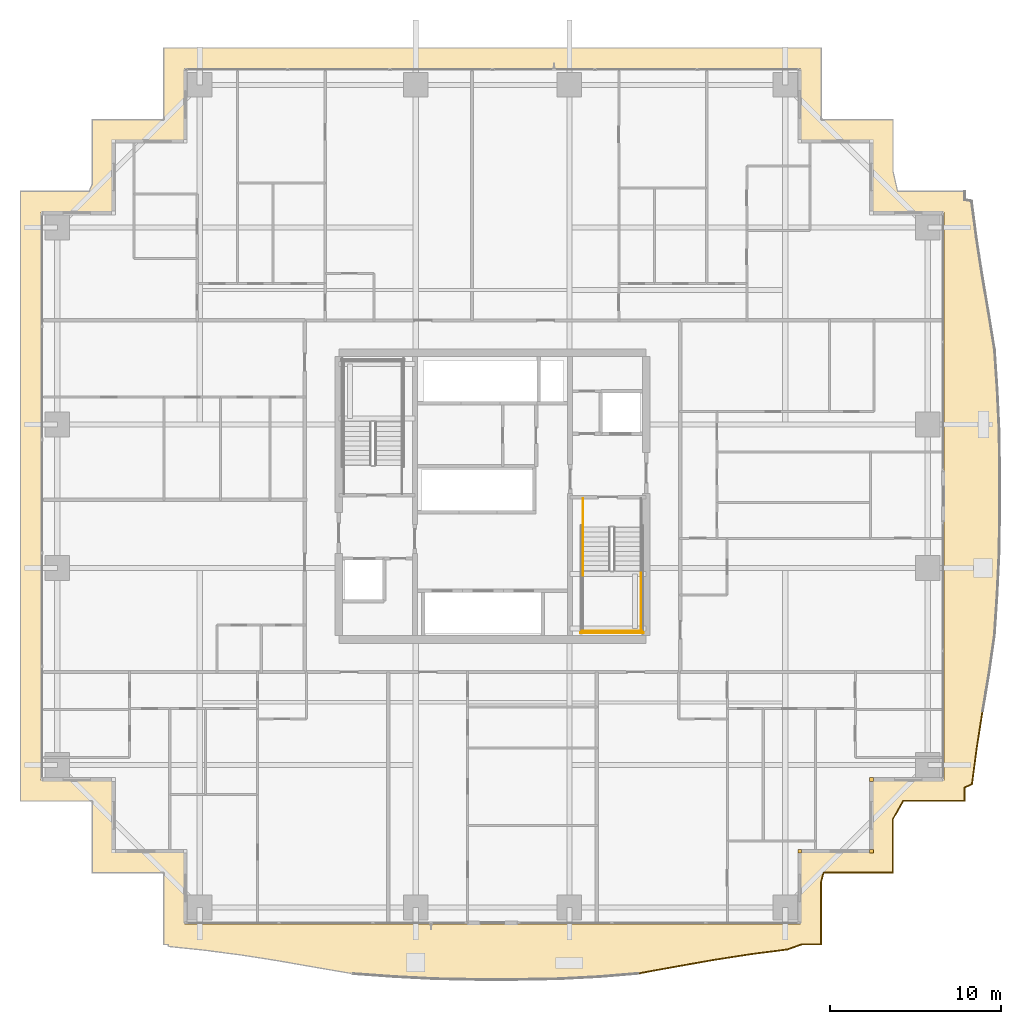
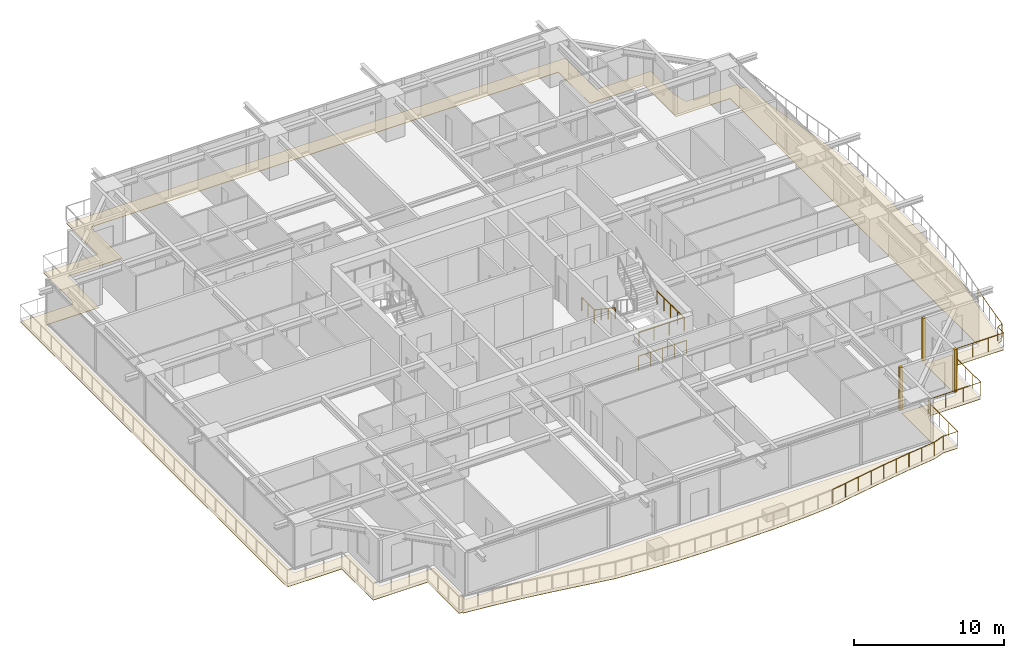
# One storey, part 36 of 39: 7 railings, 4 coverings.
"""IFC4 building model written with IfcOpenShell, lengths in metres."""

import ifcopenshell
import ifcopenshell.guid

model = None  # the IFC model being written
_history = None  # IfcOwnerHistory: only IFC2X3 demands one
_inside = {}  # id of a spatial element -> (the spatial element, [elements in it])
_under = {}  # id of a project, library or spatial element -> (it, [spatial elements below it])
_declared = {}  # id of a project -> (the project, [libraries it declares])
_typed = {}  # id of a type object -> (the type object, [elements of that type])
_made_of = {}  # id of a material, layer set ... -> (it, [elements and type objects made of it])


def new_model(schema):
    """Start an empty IFC model of exactly this schema.

    Asked for "IFC4X3", IfcOpenShell would pick the latest addendum, in which some entities
    have other attributes; the version numbers below select the first issue.
    IFC2X3 requires an IfcOwnerHistory on every rooted entity: one is made here for all.
    """
    global model, _history
    if schema == "IFC4X3":
        model = ifcopenshell.file(schema_version=(4, 3, 0, 0))
    else:
        model = ifcopenshell.file(schema=schema)
    _inside.clear()
    _under.clear()
    _declared.clear()
    _typed.clear()
    _made_of.clear()
    _history = None
    if model.schema == "IFC2X3":
        org = make("IfcOrganization", Name="unknown")
        user = make(
            "IfcPersonAndOrganization",
            ThePerson=make("IfcPerson", FamilyName="unknown"),
            TheOrganization=org,
        )
        app = make(
            "IfcApplication",
            ApplicationDeveloper=org,
            Version="unknown",
            ApplicationFullName="unknown",
            ApplicationIdentifier="unknown",
        )
        _history = make(
            "IfcOwnerHistory",
            OwningUser=user,
            OwningApplication=app,
            ChangeAction="ADDED",
            CreationDate=0,
        )
    return model


def make(cls, **values):
    """One entity of the class cls with the attributes given. An attribute that is None is left unset."""
    return model.create_entity(
        cls, **{name: value for name, value in values.items() if value is not None}
    )


def rooted(cls, **values):
    """An entity with a GlobalId (a new one), such as an element, a storey or a relation."""
    return make(cls, GlobalId=ifcopenshell.guid.new(), OwnerHistory=_history, **values)


def si_unit(unit_type, name, prefix=None):
    """IfcSIUnit, for example si_unit("LENGTHUNIT", "METRE", prefix="MILLI")."""
    return make("IfcSIUnit", UnitType=unit_type, Prefix=prefix, Name=name)


def assignment(units):
    """IfcUnitAssignment: the units of a project."""
    return None if units is None else make("IfcUnitAssignment", Units=units)


def point(xyz):
    """IfcCartesianPoint."""
    return None if xyz is None else make("IfcCartesianPoint", Coordinates=xyz)


def direction(xyz):
    """IfcDirection."""
    return None if xyz is None else make("IfcDirection", DirectionRatios=xyz)


def frame(location, z_axis=None, x_axis=None):
    """IfcAxis2Placement3D, a coordinate frame: its origin and axes. An axis left out is left unset."""
    return make(
        "IfcAxis2Placement3D",
        Location=point(location),
        Axis=direction(z_axis),
        RefDirection=direction(x_axis),
    )


def frame_2d(location, x_axis=None):
    """IfcAxis2Placement2D, a coordinate frame in the plane: its origin and x axis."""
    return make(
        "IfcAxis2Placement2D", Location=point(location), RefDirection=direction(x_axis)
    )


def origin():
    """The frame at (0, 0, 0) with its axes left unset."""
    return frame((0.0, 0.0, 0.0))


def origin_2d():
    """The frame at (0, 0) in the plane with its x axis left unset."""
    return frame_2d((0.0, 0.0))


def place(relative_to, where):
    """IfcLocalPlacement: puts the frame where relative to a parent placement (None: the world)."""
    return make(
        "IfcLocalPlacement", PlacementRelTo=relative_to, RelativePlacement=where
    )


def context(
    kind, dimensions, precision=None, world=None, true_north=None, identifier=None
):
    """IfcGeometricRepresentationContext, for example the 3D "Model" context."""
    return make(
        "IfcGeometricRepresentationContext",
        ContextIdentifier=identifier,
        ContextType=kind,
        CoordinateSpaceDimension=dimensions,
        Precision=precision,
        WorldCoordinateSystem=world,
        TrueNorth=true_north,
    )


def subcontext(parent, identifier, kind, view, scale=None):
    """IfcGeometricRepresentationSubContext, for example "Body" below "Model"."""
    return make(
        "IfcGeometricRepresentationSubContext",
        ContextIdentifier=identifier,
        ContextType=kind,
        ParentContext=parent,
        TargetScale=scale,
        TargetView=view,
    )


def project(units=None, contexts=None):
    """IfcProject with its units and contexts."""
    return rooted(
        "IfcProject",
        Name="project",
        RepresentationContexts=contexts,
        UnitsInContext=assignment(units),
    )


def spatial(cls, under=None, at=None, **own):
    """A site, building, storey or space (cls), placed at a placement, below another one or the project."""
    s = rooted(cls, ObjectPlacement=at, **own)
    if under is not None:
        _under.setdefault(under.id(), (under, []))[1].append(s)
    return s


def polyline(points):
    """IfcPolyline through the points."""
    return make("IfcPolyline", Points=[point(p) for p in points])


def profile(cls, at=None, kind="AREA", **sizes):
    """A parametric profile (cls). Its sizes go by their IFC names, for example OverallWidth=200.0."""
    return make(cls, ProfileType=kind, Position=at, **sizes)


def rectangle(**sizes):
    """IfcRectangleProfileDef."""
    return profile("IfcRectangleProfileDef", **sizes)


def circle(**sizes):
    """IfcCircleProfileDef."""
    return profile("IfcCircleProfileDef", **sizes)


def outline(outer, holes=None, kind="AREA"):
    """IfcArbitraryClosedProfileDef: a profile drawn as a closed curve; with holes, ...WithVoids."""
    if holes is None:
        return make("IfcArbitraryClosedProfileDef", ProfileType=kind, OuterCurve=outer)
    return make(
        "IfcArbitraryProfileDefWithVoids",
        ProfileType=kind,
        OuterCurve=outer,
        InnerCurves=holes,
    )


def extrude(swept, where, along, depth):
    """IfcExtrudedAreaSolid: the profile swept, set in the frame where, extruded along a direction by depth."""
    return make(
        "IfcExtrudedAreaSolid",
        SweptArea=swept,
        Position=where,
        ExtrudedDirection=direction(along),
        Depth=depth,
    )


def shape(context_of_items, identifier, shape_type, items):
    """IfcShapeRepresentation: the items that make up one representation, for example the "Body"."""
    return make(
        "IfcShapeRepresentation",
        ContextOfItems=context_of_items,
        RepresentationIdentifier=identifier,
        RepresentationType=shape_type,
        Items=items,
    )


def source(mapping_origin, context_of_items, identifier, shape_type, items):
    """IfcRepresentationMap: a shape defined once, which mapped items show again and again."""
    return make(
        "IfcRepresentationMap",
        MappingOrigin=mapping_origin,
        MappedRepresentation=shape(context_of_items, identifier, shape_type, items),
    )


def transform(
    local_origin,
    x_axis=None,
    y_axis=None,
    z_axis=None,
    scale=None,
    scale2=None,
    scale3=None,
    uniform=True,
):
    """IfcCartesianTransformationOperator3D, or its non-uniform kind. x_axis, y_axis, z_axis: its Axis1, 2, 3."""
    if uniform:
        return make(
            "IfcCartesianTransformationOperator3D",
            Axis1=direction(x_axis),
            Axis2=direction(y_axis),
            LocalOrigin=point(local_origin),
            Scale=scale,
            Axis3=direction(z_axis),
        )
    return make(
        "IfcCartesianTransformationOperator3DnonUniform",
        Axis1=direction(x_axis),
        Axis2=direction(y_axis),
        LocalOrigin=point(local_origin),
        Scale=scale,
        Axis3=direction(z_axis),
        Scale2=scale2,
        Scale3=scale3,
    )


def mapped(mapping_source, mapping_target):
    """IfcMappedItem: shows the shape of a source again, moved by a transform."""
    return make(
        "IfcMappedItem", MappingSource=mapping_source, MappingTarget=mapping_target
    )


def material(Name=None, Category=None):
    """IfcMaterial."""
    return make("IfcMaterial", Name=Name, Category=Category)


def layer(
    of_material, thickness, ventilated=None, Name=None, Category=None, Priority=None
):
    """IfcMaterialLayer: one layer of a wall or slab, of a material (None: an air gap)."""
    return make(
        "IfcMaterialLayer",
        Material=of_material,
        LayerThickness=thickness,
        IsVentilated=ventilated,
        Name=Name,
        Category=Category,
        Priority=Priority,
    )


def layer_set(layers, Name=None):
    """IfcMaterialLayerSet."""
    return make("IfcMaterialLayerSet", MaterialLayers=layers, LayerSetName=Name)


def made_of(thing, what):
    """Note that an element or type object is made of a material, layer set ...; save() writes the relation."""
    if what is not None:
        _made_of.setdefault(what.id(), (what, []))[1].append(thing)
    return thing


def type_object(cls, material=None, **own):
    """A type object (cls), such as IfcWallType, which elements share."""
    return made_of(rooted(cls, **own), material)


def element(
    cls,
    number,
    at=None,
    inside=None,
    cuts=None,
    type_object=None,
    material=None,
    context=None,
    identifier="Body",
    shape_type=None,
    held_by="IfcProductDefinitionShape",
    body=None,
    shapes=None,
    **own,
):
    """One element of the class cls, such as IfcWall. Its Tag is "e" and its number.

    at: its placement. inside: the storey or other place that contains it. cuts: it is an
    opening in that element (IfcRelVoidsElement). A single representation is given by context,
    identifier, shape_type and body (its items); several are given by shapes. held_by: the class
    of the entity that holds the representations. save() writes the other relations.
    """
    e = rooted(cls, Tag="e%d" % number, ObjectPlacement=at, **own)
    if body is not None:
        shapes = [shape(context, identifier, shape_type, body)]
    if shapes is not None:
        e.Representation = make(held_by, Representations=shapes)
    if inside is not None:
        _inside.setdefault(inside.id(), (inside, []))[1].append(e)
    if cuts is not None:
        rooted(
            "IfcRelVoidsElement", RelatingBuildingElement=cuts, RelatedOpeningElement=e
        )
    if type_object is not None:
        _typed.setdefault(type_object.id(), (type_object, []))[1].append(e)
    return made_of(e, material)


def aggregate(whole, parts):
    """IfcRelAggregates: a whole, such as a stair, and the parts it consists of."""
    return rooted("IfcRelAggregates", RelatingObject=whole, RelatedObjects=parts)


def save(model, path):
    """Write the relations noted so far, then the file.

    IfcRelAggregates (storeys below a building ...), IfcRelContainedInSpatialStructure (elements
    in a storey), IfcRelDefinesByType, IfcRelAssociatesMaterial and IfcRelDeclares: one each for
    every whole, place, type object, material and project.
    """
    for whole, parts in _under.values():
        aggregate(whole, parts)
    for where, things in _inside.values():
        rooted(
            "IfcRelContainedInSpatialStructure",
            RelatedElements=things,
            RelatingStructure=where,
        )
    for kind, things in _typed.values():
        rooted("IfcRelDefinesByType", RelatedObjects=things, RelatingType=kind)
    for what, things in _made_of.values():
        rooted("IfcRelAssociatesMaterial", RelatedObjects=things, RelatingMaterial=what)
    for by, libraries in _declared.values():
        rooted("IfcRelDeclares", RelatingContext=by, RelatedDefinitions=libraries)
    model.write(path)


model = new_model("IFC4")

# Units and contexts
model_context = context("Model", 3, precision=1e-05, world=origin(), true_north=direction((0.0, 1.0)))
body_context = subcontext(model_context, "Body", "Model", "MODEL_VIEW")
ifc_project = project(units=[si_unit("LENGTHUNIT", "METRE"), si_unit("AREAUNIT", "SQUARE_METRE"), si_unit("VOLUMEUNIT", "CUBIC_METRE"), si_unit("PLANEANGLEUNIT", "RADIAN"), si_unit("MASSUNIT", "GRAM", prefix="KILO")], contexts=[model_context])

# Site, building, storey
site_placement = place(None, origin())
site = spatial("IfcSite", under=ifc_project, at=site_placement, CompositionType="ELEMENT")
building_placement = place(site_placement, origin())
building = spatial("IfcBuilding", under=site, at=building_placement, Name="Serunith Strait Residences", CompositionType="ELEMENT")
storey_placement = place(building_placement, frame((0.0, 0.0, 64.199951171875)))
storey = spatial("IfcBuildingStorey", under=building, at=storey_placement, Name="L15", CompositionType="ELEMENT", Elevation=64.199951171875)

# Covering
ifc_material_1 = material(Name="Golden Teak Exterior Timber Boarding", Category="wood")
ifc_layer_1 = layer(ifc_material_1, 0.034912109375, Name="Golden Teak Exterior Timber Boarding")
ifc_layer_set_1 = layer_set([ifc_layer_1], Name="Golden Teak Exterior Timber Boarding")
covering_type_1 = type_object("IfcCoveringType", Name="COV-TEAK-SOFFIT", PredefinedType="CEILING", material=ifc_layer_set_1)
covering_placement = place(storey_placement, frame((0.0, 0.0, -0.324951171875)))
element("IfcCovering", 1, at=covering_placement, inside=storey, type_object=covering_type_1, Name="L15 Golden-Teak Balcony Soffit Lining", PredefinedType="CEILING", context=body_context, shape_type="SweptSolid", body=[
    extrude(outline(polyline([(13.139892578125, 3.139892578125), (8.93994140625, 3.139892578125), (8.93994140625, 7.340087890625), (4.739990234375, 7.340087890625), (4.739990234375, 43.06005859375), (8.7587890625, 43.06005859375), (8.93994140625, 43.457763671875), (8.93994140625, 47.260009765625), (13.139892578125, 47.260009765625), (13.139892578125, 51.4599609375), (51.659912109375, 51.4599609375), (51.659912109375, 47.260009765625), (55.860107421875, 47.260009765625), (55.860107421875, 44.23388671875), (56.1298828125, 43.06005859375), (60.06005859375, 43.06005859375), (60.06005859375, 42.5595703125), (60.468017578125, 42.494384765625), (60.74755859375, 40.366943359375), (61.078857421875, 38.2177734375), (61.4501953125, 36.029541015625), (61.818603515625, 33.780517578125), (61.97509765625, 31.4267578125), (62.087646484375, 29.042236328125), (62.1201171875, 26.63671875), (62.1201171875, 24.2236328125), (62.08203125, 21.817626953125), (61.968017578125, 19.431884765625), (61.81298828125, 17.076171875), (61.486572265625, 14.806640625), (61.11572265625, 12.609619140625), (60.782470703125, 10.453369140625), (60.499267578125, 8.32080078125), (60.06005859375, 8.119384765625), (60.06005859375, 7.340087890625), (56.46630859375, 7.340087890625), (55.860107421875, 6.274658203125), (55.860107421875, 3.139892578125), (51.80029296875, 3.139892578125), (51.659912109375, 2.609619140625), (51.659912109375, -1.06005859375), (50.53271484375, -1.06005859375), (49.684814453125, -1.364990234375), (47.5634765625, -1.63818359375), (45.423583984375, -1.969970703125), (43.246337890625, -2.35205078125), (41.010986328125, -2.75830078125), (38.65966796875, -2.95458984375), (36.264892578125, -3.07958984375), (33.845703125, -3.1201171875), (31.41748046875, -3.1201171875), (28.99755859375, -3.074951171875), (26.601318359375, -2.94921875), (24.2392578125, -2.77978515625), (21.98828125, -2.392578125), (19.8017578125, -2.010009765625), (17.65478515625, -1.6748046875), (15.528564453125, -1.397216796875), (13.4091796875, -1.176025390625), (13.41015625, -1.06005859375), (13.139892578125, -1.06005859375), (13.139892578125, 3.139892578125)]), holes=[polyline([(50.455078125, 0.14501953125), (50.455078125, 4.344970703125), (54.655029296875, 4.344970703125), (54.655029296875, 8.544921875), (58.85498046875, 8.544921875), (58.85498046875, 41.85498046875), (54.655029296875, 41.85498046875), (54.655029296875, 46.054931640625), (50.455078125, 46.054931640625), (50.455078125, 50.2548828125), (14.344970703125, 50.2548828125), (14.344970703125, 46.054931640625), (10.14501953125, 46.054931640625), (10.14501953125, 41.85498046875), (5.945068359375, 41.85498046875), (5.945068359375, 8.544921875), (10.14501953125, 8.544921875), (10.14501953125, 4.344970703125), (14.344970703125, 4.344970703125), (14.344970703125, 0.14501953125), (50.455078125, 0.14501953125)])]), origin(), (0.0, 0.0, 1.0), 0.034912109375),
])

# Railings
ifc_material_2 = material(Name="Stainless Steel & Laminated Glass Balustrade", Category="steel")
railing_type_1 = type_object("IfcRailingType", Name="RLG-BALC-1150", PredefinedType="BALUSTRADE", material=ifc_material_2)
railing_1_placement = place(storey_placement, frame((61.11572265625, 12.609619140625, -0.050048828125)))
element("IfcRailing", 2, at=railing_1_placement, inside=storey, type_object=railing_type_1, Name="L15 Swirling Balcony Perimeter Balustrade 5", PredefinedType="BALUSTRADE", context=body_context, shape_type="SweptSolid", body=[
    extrude(circle(Radius=0.02392578125, at=origin_2d()), frame((-0.000244140625, -0.001953125, 1.1259765625), z_axis=(-0.152738226951, -0.988266681634, 0.0), x_axis=(0.988266681634, -0.152738226951, 0.0)), (0.0, 0.0, 1.0), 2.177734375),
    extrude(circle(Radius=0.02392578125, at=origin_2d()), frame((-0.33349609375, -2.158203125, 1.1259765625), z_axis=(-0.131643352835, -0.991297143976, 0.0), x_axis=(0.991297143976, -0.131643352835, 0.0)), (0.0, 0.0, 1.0), 2.147216796875),
    extrude(circle(Radius=0.02392578125, at=origin_2d()), frame((-0.6181640625, -4.28955078125, 1.1259765625), z_axis=(-0.908977087649, -0.416846079661, 0.0), x_axis=(0.416846079661, -0.908977087649, 0.0)), (0.0, 0.0, 1.0), 0.479248046875),
    extrude(circle(Radius=0.02392578125, at=origin_2d()), frame((-1.0556640625, -4.4921875, 1.1259765625), z_axis=(0.0, -1.0, 0.0), x_axis=(1.0, 0.0, 0.0)), (0.0, 0.0, 1.0), 0.775390625),
    extrude(circle(Radius=0.02392578125, at=origin_2d()), frame((-1.0576171875, -5.26953125, 1.1259765625), z_axis=(-1.0, 0.0, 0.0), x_axis=(0.0, -1.0, 0.0)), (0.0, 0.0, 1.0), 3.58984375),
    extrude(circle(Radius=0.02392578125, at=origin_2d()), frame((-4.650390625, -5.271240234375, 1.1259765625), z_axis=(-0.494529437494, -0.869160880074, 0.0), x_axis=(0.869160880074, -0.494529437494, 0.0)), (0.0, 0.0, 1.0), 1.221923828125),
    extrude(circle(Radius=0.02392578125, at=origin_2d()), frame((-5.255615234375, -6.3369140625, 1.1259765625), z_axis=(0.0, -1.0, 0.0), x_axis=(1.0, 0.0, 0.0)), (0.0, 0.0, 1.0), 3.130859375),
    extrude(circle(Radius=0.02392578125, at=origin_2d()), frame((-5.257568359375, -9.4697265625, 1.1259765625), z_axis=(-1.0, 0.0, 0.0), x_axis=(0.0, -1.0, 0.0)), (0.0, 0.0, 1.0), 4.055908203125),
    extrude(circle(Radius=0.02099609375, at=origin_2d()), origin(), (0.0, 0.0, 1.0), 1.099853515625),
    extrude(circle(Radius=0.02099609375, at=origin_2d()), frame((-0.16650390625, -1.078125, 0.0)), (0.0, 0.0, 1.0), 1.099853515625),
    extrude(circle(Radius=0.02099609375, at=origin_2d()), frame((-0.333251953125, -2.15625, 0.0)), (0.0, 0.0, 1.0), 1.099853515625),
    extrude(circle(Radius=0.02099609375, at=origin_2d()), frame((-0.474853515625, -3.22265625, 0.0)), (0.0, 0.0, 1.0), 1.099853515625),
    extrude(circle(Radius=0.02099609375, at=origin_2d()), frame((-0.616455078125, -4.288818359375, 0.0)), (0.0, 0.0, 1.0), 1.099853515625),
    extrude(circle(Radius=0.02099609375, at=origin_2d()), frame((-1.0556640625, -4.490234375, 0.0)), (0.0, 0.0, 1.0), 1.099853515625),
    extrude(circle(Radius=0.02099609375, at=origin_2d()), frame((-1.0556640625, -5.26953125, 0.0)), (0.0, 0.0, 1.0), 1.099853515625),
    extrude(circle(Radius=0.02099609375, at=origin_2d()), frame((-2.253662109375, -5.26953125, 0.0)), (0.0, 0.0, 1.0), 1.099853515625),
    extrude(circle(Radius=0.02099609375, at=origin_2d()), frame((-3.451416015625, -5.26953125, 0.0)), (0.0, 0.0, 1.0), 1.099853515625),
    extrude(circle(Radius=0.02099609375, at=origin_2d()), frame((-4.6494140625, -5.26953125, 0.0)), (0.0, 0.0, 1.0), 1.099853515625),
    extrude(circle(Radius=0.02099609375, at=origin_2d()), frame((-5.255615234375, -6.3349609375, 0.0)), (0.0, 0.0, 1.0), 1.099853515625),
    extrude(circle(Radius=0.02099609375, at=origin_2d()), frame((-5.255615234375, -7.3798828125, 0.0)), (0.0, 0.0, 1.0), 1.099853515625),
    extrude(circle(Radius=0.02099609375, at=origin_2d()), frame((-5.255615234375, -8.4248046875, 0.0)), (0.0, 0.0, 1.0), 1.099853515625),
    extrude(circle(Radius=0.02099609375, at=origin_2d()), frame((-5.255615234375, -9.4697265625, 0.0)), (0.0, 0.0, 1.0), 1.099853515625),
    extrude(circle(Radius=0.02099609375, at=origin_2d()), frame((-6.60888671875, -9.4697265625, 0.0)), (0.0, 0.0, 1.0), 1.099853515625),
    extrude(circle(Radius=0.02099609375, at=origin_2d()), frame((-7.962158203125, -9.4697265625, 0.0)), (0.0, 0.0, 1.0), 1.099853515625),
    extrude(circle(Radius=0.02099609375, at=origin_2d()), frame((-9.3154296875, -9.4697265625, 0.0)), (0.0, 0.0, 1.0), 1.099853515625),
])
railing_2_placement = place(storey_placement, frame((51.80029296875, 3.139892578125, -0.050048828125)))
element("IfcRailing", 3, at=railing_2_placement, inside=storey, type_object=railing_type_1, Name="L15 Swirling Balcony Perimeter Balustrade 6", PredefinedType="BALUSTRADE", context=body_context, shape_type="SweptSolid", body=[
    extrude(circle(Radius=0.02392578125, at=origin_2d()), frame((-0.00048828125, -0.001953125, 1.1259765625), z_axis=(-0.255917026661, -0.966698751145, 0.0), x_axis=(0.966698751145, -0.255917026661, 0.0)), (0.0, 0.0, 1.0), 0.54443359375),
    extrude(circle(Radius=0.02392578125, at=origin_2d()), frame((-0.140380859375, -0.5322265625, 1.1259765625), z_axis=(0.0, -1.0, 0.0), x_axis=(1.0, 0.0, 0.0)), (0.0, 0.0, 1.0), 3.665771484375),
    extrude(circle(Radius=0.02392578125, at=origin_2d()), frame((-0.142333984375, -4.199951171875, 1.1259765625), z_axis=(-1.0, 0.0, 0.0), x_axis=(0.0, -1.0, 0.0)), (0.0, 0.0, 1.0), 1.123291015625),
    extrude(circle(Radius=0.02392578125, at=origin_2d()), frame((-1.26953125, -4.20068359375, 1.1259765625), z_axis=(-0.940997889609, -0.338412428483, 0.0), x_axis=(0.338412428483, -0.940997889609, 0.0)), (0.0, 0.0, 1.0), 0.89697265625),
    extrude(circle(Radius=0.02392578125, at=origin_2d()), frame((-2.117431640625, -4.505126953125, 1.1259765625), z_axis=(-0.991809148063, -0.127728672653, 0.0), x_axis=(0.127728672653, -0.991809148063, 0.0)), (0.0, 0.0, 1.0), 2.134765625),
    extrude(circle(Radius=0.02392578125, at=origin_2d()), frame((-4.23876953125, -4.7783203125, 1.1259765625), z_axis=(-0.988192452084, -0.153217745851, 0.0), x_axis=(0.153217745851, -0.988192452084, 0.0)), (0.0, 0.0, 1.0), 2.161376953125),
    extrude(circle(Radius=0.02392578125, at=origin_2d()), frame((-6.378662109375, -5.110107421875, 1.1259765625), z_axis=(-0.984948778898, -0.172846472188, 0.0), x_axis=(0.172846472188, -0.984948778898, 0.0)), (0.0, 0.0, 1.0), 2.20654296875),
    extrude(circle(Radius=0.02392578125, at=origin_2d()), frame((-8.555908203125, -5.4921875, 1.1259765625), z_axis=(-0.983883661791, -0.178809787377, 0.0), x_axis=(0.178809787377, -0.983883661791, 0.0)), (0.0, 0.0, 1.0), 2.26806640625),
    extrude(circle(Radius=0.02099609375, at=origin_2d()), origin(), (0.0, 0.0, 1.0), 1.099853515625),
    extrude(circle(Radius=0.02099609375, at=origin_2d()), frame((-0.140380859375, -0.5302734375, 0.0)), (0.0, 0.0, 1.0), 1.099853515625),
    extrude(circle(Radius=0.02099609375, at=origin_2d()), frame((-0.140380859375, -1.75341796875, 0.0)), (0.0, 0.0, 1.0), 1.099853515625),
    extrude(circle(Radius=0.02099609375, at=origin_2d()), frame((-0.140380859375, -2.976806640625, 0.0)), (0.0, 0.0, 1.0), 1.099853515625),
    extrude(circle(Radius=0.02099609375, at=origin_2d()), frame((-0.140380859375, -4.199951171875, 0.0)), (0.0, 0.0, 1.0), 1.099853515625),
    extrude(circle(Radius=0.02099609375, at=origin_2d()), frame((-1.267578125, -4.199951171875, 0.0)), (0.0, 0.0, 1.0), 1.099853515625),
    extrude(circle(Radius=0.02099609375, at=origin_2d()), frame((-2.115478515625, -4.5048828125, 0.0)), (0.0, 0.0, 1.0), 1.099853515625),
    extrude(circle(Radius=0.02099609375, at=origin_2d()), frame((-3.17626953125, -4.6416015625, 0.0)), (0.0, 0.0, 1.0), 1.099853515625),
    extrude(circle(Radius=0.02099609375, at=origin_2d()), frame((-4.23681640625, -4.778076171875, 0.0)), (0.0, 0.0, 1.0), 1.099853515625),
    extrude(circle(Radius=0.02099609375, at=origin_2d()), frame((-5.306640625, -4.94384765625, 0.0)), (0.0, 0.0, 1.0), 1.099853515625),
    extrude(circle(Radius=0.02099609375, at=origin_2d()), frame((-6.376708984375, -5.10986328125, 0.0)), (0.0, 0.0, 1.0), 1.099853515625),
    extrude(circle(Radius=0.02099609375, at=origin_2d()), frame((-7.46533203125, -5.30078125, 0.0)), (0.0, 0.0, 1.0), 1.099853515625),
    extrude(circle(Radius=0.02099609375, at=origin_2d()), frame((-8.553955078125, -5.491943359375, 0.0)), (0.0, 0.0, 1.0), 1.099853515625),
    extrude(circle(Radius=0.02099609375, at=origin_2d()), frame((-9.671630859375, -5.695068359375, 0.0)), (0.0, 0.0, 1.0), 1.099853515625),
    extrude(circle(Radius=0.02099609375, at=origin_2d()), frame((-10.789306640625, -5.898193359375, 0.0)), (0.0, 0.0, 1.0), 1.099853515625),
])
ifc_material_3 = material(Name="Brushed stainless steel 316L", Category="steel")
railing_type_2 = type_object("IfcRailingType", Name="RLG-STAIR-GUARD", PredefinedType="BALUSTRADE", material=ifc_material_3)
railing_3_placement = place(storey_placement, frame((41.10009765625, 20.85009765625, 1.875)))
element("IfcRailing", 4, at=railing_3_placement, inside=storey, type_object=railing_type_2, Name="L15 ST-2 stair guard 4", PredefinedType="BALUSTRADE", context=body_context, shape_type="SweptSolid", body=[
    extrude(circle(Radius=0.02392578125, at=origin_2d()), frame((0.0, -0.001953125, 1.076171875), z_axis=(0.0, -1.0, 0.0), x_axis=(1.0, 0.0, 0.0)), (0.0, 0.0, 1.0), 3.59619140625),
    extrude(circle(Radius=0.02099609375, at=origin_2d()), origin(), (0.0, 0.0, 1.0), 1.050048828125),
    extrude(circle(Radius=0.02099609375, at=origin_2d()), frame((0.0, -0.89990234375, 0.0)), (0.0, 0.0, 1.0), 1.050048828125),
    extrude(circle(Radius=0.02099609375, at=origin_2d()), frame((0.0, -1.800048828125, 0.0)), (0.0, 0.0, 1.0), 1.050048828125),
    extrude(circle(Radius=0.02099609375, at=origin_2d()), frame((0.0, -2.7001953125, 0.0)), (0.0, 0.0, 1.0), 1.050048828125),
    extrude(circle(Radius=0.02099609375, at=origin_2d()), frame((0.0, -3.60009765625, 0.0)), (0.0, 0.0, 1.0), 1.050048828125),
])
railing_4_placement = place(storey_placement, frame((37.64990234375, 17.300048828125, 1.875)))
element("IfcRailing", 5, at=railing_4_placement, inside=storey, type_object=railing_type_2, Name="L15 ST-2 stair guard 5", PredefinedType="BALUSTRADE", context=body_context, shape_type="SweptSolid", body=[
    extrude(circle(Radius=0.02392578125, at=origin_2d()), frame((0.001953125, 0.0, 1.076171875), z_axis=(1.0, 0.0, 0.0), x_axis=(0.0, 1.0, 0.0)), (0.0, 0.0, 1.0), 3.49609375),
    extrude(circle(Radius=0.02099609375, at=origin_2d()), origin(), (0.0, 0.0, 1.0), 1.050048828125),
    extrude(circle(Radius=0.02099609375, at=origin_2d()), frame((1.166748046875, 0.0, 0.0)), (0.0, 0.0, 1.0), 1.050048828125),
    extrude(circle(Radius=0.02099609375, at=origin_2d()), frame((2.333251953125, 0.0, 0.0)), (0.0, 0.0, 1.0), 1.050048828125),
    extrude(circle(Radius=0.02099609375, at=origin_2d()), frame((3.5, 0.0, 0.0)), (0.0, 0.0, 1.0), 1.050048828125),
])
railing_5_placement = place(storey_placement, frame((37.699951171875, 25.050048828125, 0.0)))
element("IfcRailing", 6, at=railing_5_placement, inside=storey, type_object=railing_type_2, Name="L15 ST-2 stair guard 8", PredefinedType="BALUSTRADE", context=body_context, shape_type="SweptSolid", body=[
    extrude(circle(Radius=0.02392578125, at=origin_2d()), frame((0.0, -0.001953125, 1.076171875), z_axis=(0.0, -1.0, 0.0), x_axis=(1.0, 0.0, 0.0)), (0.0, 0.0, 1.0), 1.676025390625),
    extrude(circle(Radius=0.02099609375, at=origin_2d()), origin(), (0.0, 0.0, 1.0), 1.050048828125),
    extrude(circle(Radius=0.02099609375, at=origin_2d()), frame((0.0, -0.83984375, 0.0)), (0.0, 0.0, 1.0), 1.050048828125),
    extrude(circle(Radius=0.02099609375, at=origin_2d()), frame((0.0, -1.679931640625, 0.0)), (0.0, 0.0, 1.0), 1.050048828125),
])
railing_6_placement = place(storey_placement, frame((37.550048828125, 17.199951171875, 0.0)))
element("IfcRailing", 7, at=railing_6_placement, inside=storey, type_object=railing_type_2, Name="L15 ST-2 stair guard 12", PredefinedType="BALUSTRADE", context=body_context, shape_type="SweptSolid", body=[
    extrude(circle(Radius=0.02392578125, at=origin_2d()), frame((0.001953125, 0.0, 1.076171875), z_axis=(1.0, 0.0, 0.0), x_axis=(0.0, 1.0, 0.0)), (0.0, 0.0, 1.0), 3.696044921875),
    extrude(circle(Radius=0.02099609375, at=origin_2d()), origin(), (0.0, 0.0, 1.0), 1.050048828125),
    extrude(circle(Radius=0.02099609375, at=origin_2d()), frame((0.925048828125, 0.0, 0.0)), (0.0, 0.0, 1.0), 1.050048828125),
    extrude(circle(Radius=0.02099609375, at=origin_2d()), frame((1.85009765625, 0.0, 0.0)), (0.0, 0.0, 1.0), 1.050048828125),
    extrude(circle(Radius=0.02099609375, at=origin_2d()), frame((2.77490234375, 0.0, 0.0)), (0.0, 0.0, 1.0), 1.050048828125),
    extrude(circle(Radius=0.02099609375, at=origin_2d()), frame((3.699951171875, 0.0, 0.0)), (0.0, 0.0, 1.0), 1.050048828125),
])
railing_type_3 = type_object("IfcRailingType", Name="RLG-STAIR-HR", PredefinedType="HANDRAIL", material=ifc_material_3)
railing_7_placement = place(storey_placement, frame((37.699951171875, 23.3701171875, 0.1875)))
element("IfcRailing", 8, at=railing_7_placement, inside=storey, type_object=railing_type_3, Name="L15 ST-2 stair handrail 1", PredefinedType="HANDRAIL", context=body_context, shape_type="SweptSolid", body=[
    extrude(circle(Radius=0.02392578125, at=origin_2d()), frame((0.0, -0.001708984375, 0.876953125), z_axis=(0.0, -0.830208209119, 0.557453432594), x_axis=(1.0, 0.0, 0.0)), (0.0, 0.0, 1.0), 3.36865234375),
    extrude(circle(Radius=0.02099609375, at=origin_2d()), origin(), (0.0, 0.0, 1.0), 0.849853515625),
    extrude(circle(Radius=0.02099609375, at=origin_2d()), frame((0.0, -0.933349609375, 0.626708984375)), (0.0, 0.0, 1.0), 0.849853515625),
    extrude(circle(Radius=0.02099609375, at=origin_2d()), frame((0.0, -1.86669921875, 1.25341796875)), (0.0, 0.0, 1.0), 0.849853515625),
    extrude(circle(Radius=0.02099609375, at=origin_2d()), frame((0.0, -2.800048828125, 1.880126953125)), (0.0, 0.0, 1.0), 0.849853515625),
])

# Coverings
ifc_material_4 = material(Name="Pale-Champagne Anodised Aluminium", Category="aluminium")
ifc_layer_2 = layer(ifc_material_4, 0.219970703125, Name="Pale-Champagne Anodised Aluminium")
ifc_layer_set_2 = layer_set([ifc_layer_2], Name="Pale-Champagne Anodised Aluminium")
covering_type_2 = type_object("IfcCoveringType", Name="COV-CORN-TRIM", PredefinedType="CLADDING", material=ifc_layer_set_2)
shared_shape = source(origin(), body_context, "Body", "SweptSolid", [
    extrude(rectangle(XDim=0.221923828125, YDim=0.221923828125, at=origin_2d()), origin(), (0.0, 0.0, 1.0), 3.47509765625),
])
for number, where, z_axis, x_axis, name in (
    (9, (50.39990234375, 4.39990234375, 0.0), (0.0, 0.0, 1.0), (1.0, 0.0, 0.0), "L15 Girih Serrated Corner Trim Post 02"),
    (10, (54.60009765625, 4.39990234375, 0.0), (0.0, 0.0, 1.0), (1.0, 0.0, 0.0), "L15 Girih Serrated Corner Trim Post 03"),
    (11, (54.60009765625, 8.60009765625, 0.0), (0.0, 0.0, 1.0), (1.0, 0.0, 0.0), "L15 Girih Serrated Corner Trim Post 04"),
):
    element("IfcCovering", number, at=place(storey_placement, frame(where, z_axis=z_axis, x_axis=x_axis)), inside=storey, type_object=covering_type_2, Name=name, PredefinedType="CLADDING", context=body_context, shape_type="MappedRepresentation", body=[
        mapped(shared_shape, transform((0.0, 0.0, 0.0), scale=1.0)),
    ])

save(model, "model.ifc")
